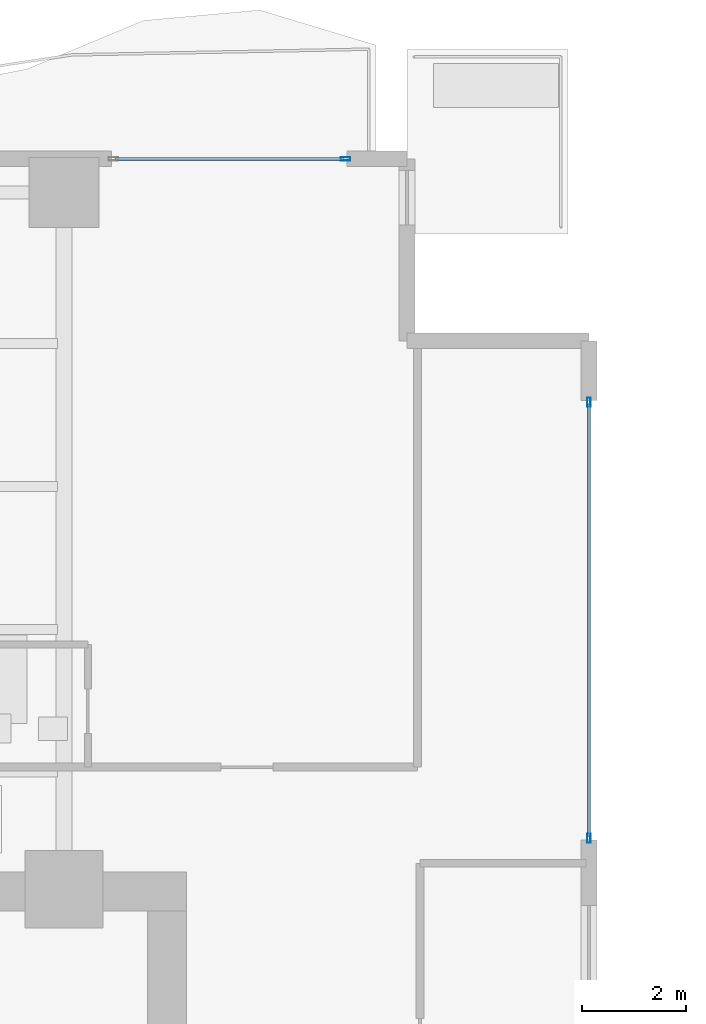
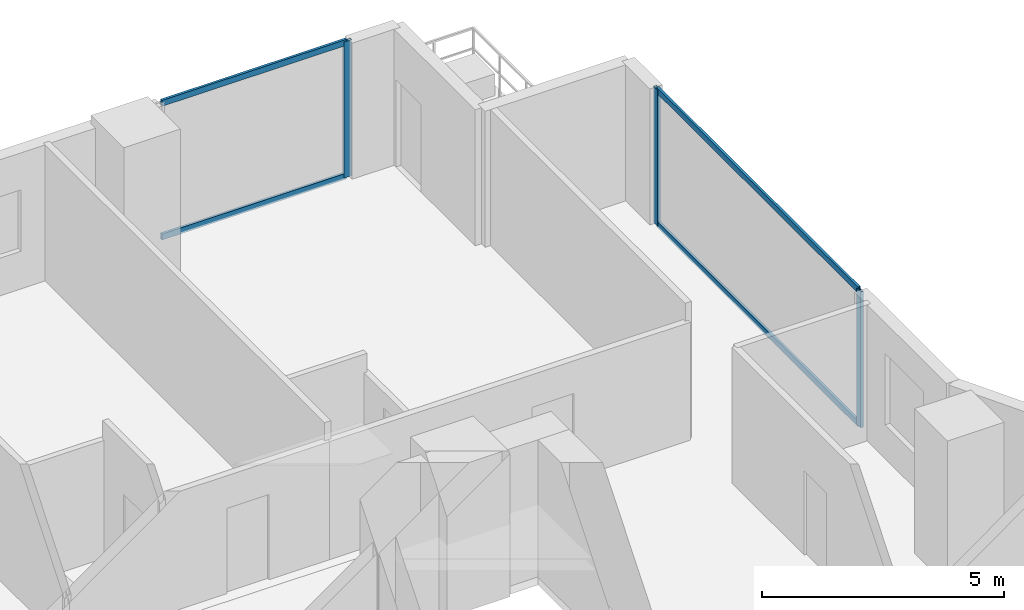
# One storey, part 18 of 27: 7 members, 2 elements without a shape of their own.
"""IFC4 building model written with IfcOpenShell, lengths in metres."""

import ifcopenshell
import ifcopenshell.guid

model = None  # the IFC model being written
_history = None  # IfcOwnerHistory: only IFC2X3 demands one
_inside = {}  # id of a spatial element -> (the spatial element, [elements in it])
_under = {}  # id of a project, library or spatial element -> (it, [spatial elements below it])
_declared = {}  # id of a project -> (the project, [libraries it declares])
_typed = {}  # id of a type object -> (the type object, [elements of that type])
_made_of = {}  # id of a material, layer set ... -> (it, [elements and type objects made of it])


def new_model(schema):
    """Start an empty IFC model of exactly this schema.

    Asked for "IFC4X3", IfcOpenShell would pick the latest addendum, in which some entities
    have other attributes; the version numbers below select the first issue.
    IFC2X3 requires an IfcOwnerHistory on every rooted entity: one is made here for all.
    """
    global model, _history
    if schema == "IFC4X3":
        model = ifcopenshell.file(schema_version=(4, 3, 0, 0))
    else:
        model = ifcopenshell.file(schema=schema)
    _inside.clear()
    _under.clear()
    _declared.clear()
    _typed.clear()
    _made_of.clear()
    _history = None
    if model.schema == "IFC2X3":
        org = make("IfcOrganization", Name="unknown")
        user = make(
            "IfcPersonAndOrganization",
            ThePerson=make("IfcPerson", FamilyName="unknown"),
            TheOrganization=org,
        )
        app = make(
            "IfcApplication",
            ApplicationDeveloper=org,
            Version="unknown",
            ApplicationFullName="unknown",
            ApplicationIdentifier="unknown",
        )
        _history = make(
            "IfcOwnerHistory",
            OwningUser=user,
            OwningApplication=app,
            ChangeAction="ADDED",
            CreationDate=0,
        )
    return model


def make(cls, **values):
    """One entity of the class cls with the attributes given. An attribute that is None is left unset."""
    return model.create_entity(
        cls, **{name: value for name, value in values.items() if value is not None}
    )


def rooted(cls, **values):
    """An entity with a GlobalId (a new one), such as an element, a storey or a relation."""
    return make(cls, GlobalId=ifcopenshell.guid.new(), OwnerHistory=_history, **values)


def si_unit(unit_type, name, prefix=None):
    """IfcSIUnit, for example si_unit("LENGTHUNIT", "METRE", prefix="MILLI")."""
    return make("IfcSIUnit", UnitType=unit_type, Prefix=prefix, Name=name)


def assignment(units):
    """IfcUnitAssignment: the units of a project."""
    return None if units is None else make("IfcUnitAssignment", Units=units)


def point(xyz):
    """IfcCartesianPoint."""
    return None if xyz is None else make("IfcCartesianPoint", Coordinates=xyz)


def direction(xyz):
    """IfcDirection."""
    return None if xyz is None else make("IfcDirection", DirectionRatios=xyz)


def frame(location, z_axis=None, x_axis=None):
    """IfcAxis2Placement3D, a coordinate frame: its origin and axes. An axis left out is left unset."""
    return make(
        "IfcAxis2Placement3D",
        Location=point(location),
        Axis=direction(z_axis),
        RefDirection=direction(x_axis),
    )


def frame_2d(location, x_axis=None):
    """IfcAxis2Placement2D, a coordinate frame in the plane: its origin and x axis."""
    return make(
        "IfcAxis2Placement2D", Location=point(location), RefDirection=direction(x_axis)
    )


def origin():
    """The frame at (0, 0, 0) with its axes left unset."""
    return frame((0.0, 0.0, 0.0))


def origin_2d():
    """The frame at (0, 0) in the plane with its x axis left unset."""
    return frame_2d((0.0, 0.0))


def place(relative_to, where):
    """IfcLocalPlacement: puts the frame where relative to a parent placement (None: the world)."""
    return make(
        "IfcLocalPlacement", PlacementRelTo=relative_to, RelativePlacement=where
    )


def context(
    kind, dimensions, precision=None, world=None, true_north=None, identifier=None
):
    """IfcGeometricRepresentationContext, for example the 3D "Model" context."""
    return make(
        "IfcGeometricRepresentationContext",
        ContextIdentifier=identifier,
        ContextType=kind,
        CoordinateSpaceDimension=dimensions,
        Precision=precision,
        WorldCoordinateSystem=world,
        TrueNorth=true_north,
    )


def subcontext(parent, identifier, kind, view, scale=None):
    """IfcGeometricRepresentationSubContext, for example "Body" below "Model"."""
    return make(
        "IfcGeometricRepresentationSubContext",
        ContextIdentifier=identifier,
        ContextType=kind,
        ParentContext=parent,
        TargetScale=scale,
        TargetView=view,
    )


def project(units=None, contexts=None):
    """IfcProject with its units and contexts."""
    return rooted(
        "IfcProject",
        Name="project",
        RepresentationContexts=contexts,
        UnitsInContext=assignment(units),
    )


def spatial(cls, under=None, at=None, **own):
    """A site, building, storey or space (cls), placed at a placement, below another one or the project."""
    s = rooted(cls, ObjectPlacement=at, **own)
    if under is not None:
        _under.setdefault(under.id(), (under, []))[1].append(s)
    return s


def profile(cls, at=None, kind="AREA", **sizes):
    """A parametric profile (cls). Its sizes go by their IFC names, for example OverallWidth=200.0."""
    return make(cls, ProfileType=kind, Position=at, **sizes)


def hollow_rectangle(**sizes):
    """IfcRectangleHollowProfileDef."""
    return profile("IfcRectangleHollowProfileDef", **sizes)


def extrude(swept, where, along, depth):
    """IfcExtrudedAreaSolid: the profile swept, set in the frame where, extruded along a direction by depth."""
    return make(
        "IfcExtrudedAreaSolid",
        SweptArea=swept,
        Position=where,
        ExtrudedDirection=direction(along),
        Depth=depth,
    )


def shape(context_of_items, identifier, shape_type, items):
    """IfcShapeRepresentation: the items that make up one representation, for example the "Body"."""
    return make(
        "IfcShapeRepresentation",
        ContextOfItems=context_of_items,
        RepresentationIdentifier=identifier,
        RepresentationType=shape_type,
        Items=items,
    )


def material(Name=None, Category=None):
    """IfcMaterial."""
    return make("IfcMaterial", Name=Name, Category=Category)


def layer(
    of_material, thickness, ventilated=None, Name=None, Category=None, Priority=None
):
    """IfcMaterialLayer: one layer of a wall or slab, of a material (None: an air gap)."""
    return make(
        "IfcMaterialLayer",
        Material=of_material,
        LayerThickness=thickness,
        IsVentilated=ventilated,
        Name=Name,
        Category=Category,
        Priority=Priority,
    )


def layer_set(layers, Name=None):
    """IfcMaterialLayerSet."""
    return make("IfcMaterialLayerSet", MaterialLayers=layers, LayerSetName=Name)


def material_profile(
    of_material, cross_section, Name=None, Category=None, Priority=None
):
    """IfcMaterialProfile: a cross section and its material."""
    return make(
        "IfcMaterialProfile",
        Name=Name,
        Material=of_material,
        Profile=cross_section,
        Priority=Priority,
        Category=Category,
    )


def profile_set(profiles, Name=None, composite=None):
    """IfcMaterialProfileSet."""
    return make(
        "IfcMaterialProfileSet",
        Name=Name,
        MaterialProfiles=profiles,
        CompositeProfile=composite,
    )


def made_of(thing, what):
    """Note that an element or type object is made of a material, layer set ...; save() writes the relation."""
    if what is not None:
        _made_of.setdefault(what.id(), (what, []))[1].append(thing)
    return thing


def type_object(cls, material=None, **own):
    """A type object (cls), such as IfcWallType, which elements share."""
    return made_of(rooted(cls, **own), material)


def element(
    cls,
    number,
    at=None,
    inside=None,
    cuts=None,
    type_object=None,
    material=None,
    context=None,
    identifier="Body",
    shape_type=None,
    held_by="IfcProductDefinitionShape",
    body=None,
    shapes=None,
    **own,
):
    """One element of the class cls, such as IfcWall. Its Tag is "e" and its number.

    at: its placement. inside: the storey or other place that contains it. cuts: it is an
    opening in that element (IfcRelVoidsElement). A single representation is given by context,
    identifier, shape_type and body (its items); several are given by shapes. held_by: the class
    of the entity that holds the representations. save() writes the other relations.
    """
    e = rooted(cls, Tag="e%d" % number, ObjectPlacement=at, **own)
    if body is not None:
        shapes = [shape(context, identifier, shape_type, body)]
    if shapes is not None:
        e.Representation = make(held_by, Representations=shapes)
    if inside is not None:
        _inside.setdefault(inside.id(), (inside, []))[1].append(e)
    if cuts is not None:
        rooted(
            "IfcRelVoidsElement", RelatingBuildingElement=cuts, RelatedOpeningElement=e
        )
    if type_object is not None:
        _typed.setdefault(type_object.id(), (type_object, []))[1].append(e)
    return made_of(e, material)


def aggregate(whole, parts):
    """IfcRelAggregates: a whole, such as a stair, and the parts it consists of."""
    return rooted("IfcRelAggregates", RelatingObject=whole, RelatedObjects=parts)


def save(model, path):
    """Write the relations noted so far, then the file.

    IfcRelAggregates (storeys below a building ...), IfcRelContainedInSpatialStructure (elements
    in a storey), IfcRelDefinesByType, IfcRelAssociatesMaterial and IfcRelDeclares: one each for
    every whole, place, type object, material and project.
    """
    for whole, parts in _under.values():
        aggregate(whole, parts)
    for where, things in _inside.values():
        rooted(
            "IfcRelContainedInSpatialStructure",
            RelatedElements=things,
            RelatingStructure=where,
        )
    for kind, things in _typed.values():
        rooted("IfcRelDefinesByType", RelatedObjects=things, RelatingType=kind)
    for what, things in _made_of.values():
        rooted("IfcRelAssociatesMaterial", RelatedObjects=things, RelatingMaterial=what)
    for by, libraries in _declared.values():
        rooted("IfcRelDeclares", RelatingContext=by, RelatedDefinitions=libraries)
    model.write(path)


model = new_model("IFC4")

# Units and contexts
model_context = context("Model", 3, precision=1e-05, world=origin(), true_north=direction((0.0, 1.0)))
body_context = subcontext(model_context, "Body", "Model", "MODEL_VIEW")
ifc_project = project(units=[si_unit("LENGTHUNIT", "METRE"), si_unit("AREAUNIT", "SQUARE_METRE"), si_unit("VOLUMEUNIT", "CUBIC_METRE"), si_unit("PLANEANGLEUNIT", "RADIAN"), si_unit("MASSUNIT", "GRAM", prefix="KILO")], contexts=[model_context])

# Site, building, storey
site_placement = place(None, origin())
site = spatial("IfcSite", under=ifc_project, at=site_placement, CompositionType="ELEMENT")
building_placement = place(site_placement, origin())
building = spatial("IfcBuilding", under=site, at=building_placement, Name="Zuhayl Quay Hotel", CompositionType="ELEMENT")
storey_placement = place(building_placement, frame((0.0, 0.0, 102.949951171875)))
storey = spatial("IfcBuildingStorey", under=building, at=storey_placement, Name="L25", CompositionType="ELEMENT", Elevation=102.949951171875)

# Curtain wall, member
ifc_material_1 = material(Name="Anodised Aluminium 6063-T6", Category="aluminium")
ifc_layer = layer(ifc_material_1, 0.179931640625, Name="Anodised Aluminium 6063-T6", Category="aluminium")
ifc_layer_set = layer_set([ifc_layer], Name="Anodised Aluminium 6063-T6")
curtain_wall_type = type_object("IfcCurtainWallType", Name="CW_SYS_Z2", PredefinedType="USERDEFINED", material=ifc_layer_set)
curtain_wall_1_placement = place(storey_placement, origin())
curtain_wall_1 = element("IfcCurtainWall", 1, at=curtain_wall_1_placement, inside=storey, type_object=curtain_wall_type, Name="L25 Curtain Wall ENV_L25_N_CW4", ObjectType="UNITISED CURTAIN WALL", PredefinedType="USERDEFINED")
ifc_material_2 = material(Name="Black-anodised aluminium 6063-T6", Category="aluminium")
ifc_material_profile_1 = material_profile(ifc_material_2, hollow_rectangle(XDim=0.06494140625, YDim=0.179931640625, WallThickness=0.00341796875, at=origin_2d()), Name="ALU180X65")
ifc_profile_set_1 = profile_set([ifc_material_profile_1], Name="Black-anodised aluminium 6063-T6")
member_type_1 = type_object("IfcMemberType", Name="MB_CW_MUL_180", PredefinedType="MULLION", material=ifc_profile_set_1)
member_1_placement = place(storey_placement, frame((19.217529296875, 28.39990234375, 0.0), z_axis=(0.0, 0.0, 1.0), x_axis=(0.0, 1.0, 0.0)))
member_1 = element("IfcMember", 2, at=member_1_placement, type_object=member_type_1, Name="CW-Z2 mullion 2", PredefinedType="MULLION", context=body_context, shape_type="SweptSolid", body=[
    extrude(hollow_rectangle(XDim=0.06494140625, YDim=0.179931640625, WallThickness=0.00341796875, at=origin_2d()), origin(), (0.0, 0.0, 1.0), 3.429931640625),
])

# Curtain wall, members
curtain_wall_2_placement = place(storey_placement, origin())
curtain_wall_2 = element("IfcCurtainWall", 3, at=curtain_wall_2_placement, inside=storey, type_object=curtain_wall_type, Name="L25 Curtain Wall ENV_L25_E11_CW1", ObjectType="UNITISED CURTAIN WALL", PredefinedType="USERDEFINED")
member_2_placement = place(storey_placement, frame((23.89990234375, 23.717529296875, 0.0), z_axis=(0.0, 0.0, 1.0), x_axis=(1.0, 0.0, 0.0)))
member_2 = element("IfcMember", 4, at=member_2_placement, type_object=member_type_1, Name="CW-Z2 mullion 1", PredefinedType="MULLION", context=body_context, shape_type="SweptSolid", body=[
    extrude(hollow_rectangle(XDim=0.06494140625, YDim=0.179931640625, WallThickness=0.00341796875, at=origin_2d()), origin(), (0.0, 0.0, 1.0), 3.429931640625),
])
member_3_placement = place(storey_placement, frame((23.89990234375, 15.33251953125, 0.0), z_axis=(0.0, 0.0, 1.0), x_axis=(1.0, 0.0, 0.0)))
member_3 = element("IfcMember", 5, at=member_3_placement, type_object=member_type_1, Name="CW-Z2 mullion 2", PredefinedType="MULLION", context=body_context, shape_type="SweptSolid", body=[
    extrude(hollow_rectangle(XDim=0.06494140625, YDim=0.179931640625, WallThickness=0.00341796875, at=origin_2d()), origin(), (0.0, 0.0, 1.0), 3.429931640625),
])

# Member
ifc_material_profile_2 = material_profile(ifc_material_2, hollow_rectangle(XDim=0.06005859375, YDim=0.14990234375, WallThickness=0.00341796875, at=origin_2d()), Name="ALU150X60")
ifc_profile_set_2 = profile_set([ifc_material_profile_2], Name="Black-anodised aluminium 6063-T6")
member_type_2 = type_object("IfcMemberType", Name="MB_CW_TRN_150", PredefinedType="USERDEFINED", material=ifc_profile_set_2)
member_4_placement = place(storey_placement, frame((14.784912109375, 28.39990234375, 0.030029296875), z_axis=(1.0, 0.0, 0.0), x_axis=(0.0, 1.0, 0.0)))
member_4 = element("IfcMember", 6, at=member_4_placement, type_object=member_type_2, Name="CW-Z2 transom 1.1", ObjectType="TRANSOM", PredefinedType="USERDEFINED", context=body_context, shape_type="SweptSolid", body=[
    extrude(hollow_rectangle(XDim=0.06005859375, YDim=0.14990234375, WallThickness=0.00341796875, at=origin_2d()), origin(), (0.0, 0.0, 1.0), 4.400146484375),
])

member_5_placement = place(storey_placement, frame((14.784912109375, 28.39990234375, 3.400146484375), z_axis=(1.0, 0.0, 0.0), x_axis=(0.0, 1.0, 0.0)))
member_5 = element("IfcMember", 7, at=member_5_placement, type_object=member_type_2, Name="CW-Z2 transom 1.2", ObjectType="TRANSOM", PredefinedType="USERDEFINED", context=body_context, shape_type="SweptSolid", body=[
    extrude(hollow_rectangle(XDim=0.06005859375, YDim=0.14990234375, WallThickness=0.00341796875, at=origin_2d()), origin(), (0.0, 0.0, 1.0), 4.400146484375),
])

aggregate(curtain_wall_1, [member_1, member_4, member_5])

member_6_placement = place(storey_placement, frame((23.89990234375, 23.68505859375, 0.030029296875), z_axis=(0.0, -1.0, 0.0), x_axis=(1.0, 0.0, 0.0)))
member_6 = element("IfcMember", 8, at=member_6_placement, type_object=member_type_2, Name="CW-Z2 transom 1.1", ObjectType="TRANSOM", PredefinedType="USERDEFINED", context=body_context, shape_type="SweptSolid", body=[
    extrude(hollow_rectangle(XDim=0.06005859375, YDim=0.14990234375, WallThickness=0.00341796875, at=origin_2d()), origin(), (0.0, 0.0, 1.0), 8.320068359375),
])

member_7_placement = place(storey_placement, frame((23.89990234375, 23.68505859375, 3.400146484375), z_axis=(0.0, -1.0, 0.0), x_axis=(1.0, 0.0, 0.0)))
member_7 = element("IfcMember", 9, at=member_7_placement, type_object=member_type_2, Name="CW-Z2 transom 1.2", ObjectType="TRANSOM", PredefinedType="USERDEFINED", context=body_context, shape_type="SweptSolid", body=[
    extrude(hollow_rectangle(XDim=0.06005859375, YDim=0.14990234375, WallThickness=0.00341796875, at=origin_2d()), origin(), (0.0, 0.0, 1.0), 8.320068359375),
])

aggregate(curtain_wall_2, [member_2, member_3, member_6, member_7])

save(model, "model.ifc")
